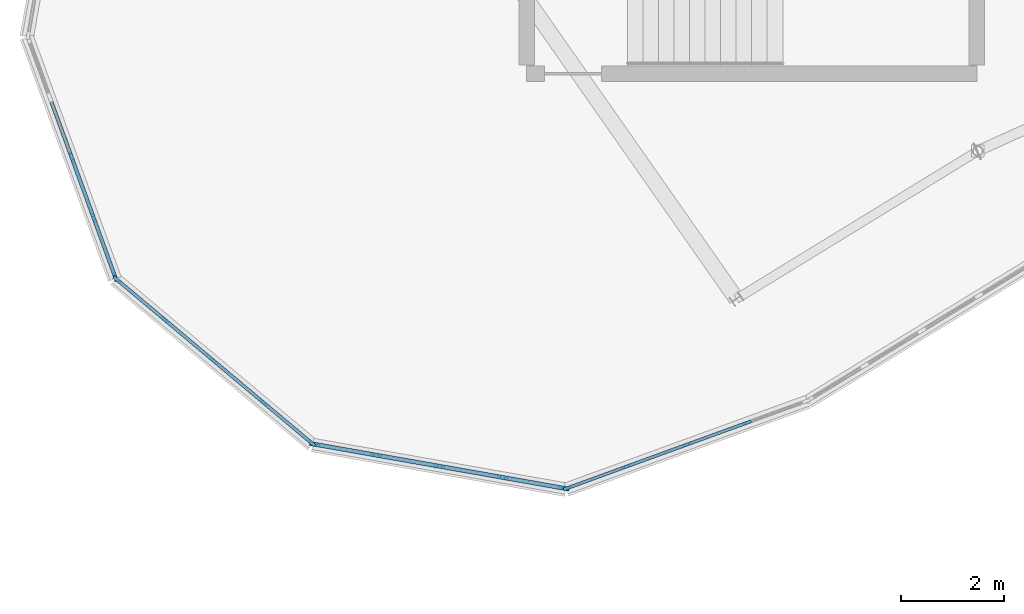
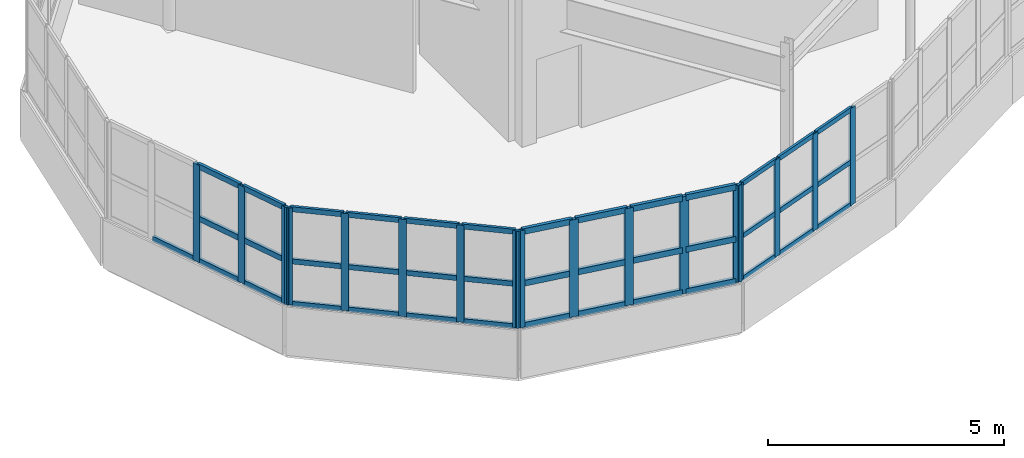
# One storey, part 24 of 65: 57 members, 4 elements without a shape of their own.
"""IFC4 building model written with IfcOpenShell, lengths in metres."""

import ifcopenshell
import ifcopenshell.guid

model = None  # the IFC model being written
_history = None  # IfcOwnerHistory: only IFC2X3 demands one
_inside = {}  # id of a spatial element -> (the spatial element, [elements in it])
_under = {}  # id of a project, library or spatial element -> (it, [spatial elements below it])
_declared = {}  # id of a project -> (the project, [libraries it declares])
_typed = {}  # id of a type object -> (the type object, [elements of that type])
_made_of = {}  # id of a material, layer set ... -> (it, [elements and type objects made of it])


def new_model(schema):
    """Start an empty IFC model of exactly this schema.

    Asked for "IFC4X3", IfcOpenShell would pick the latest addendum, in which some entities
    have other attributes; the version numbers below select the first issue.
    IFC2X3 requires an IfcOwnerHistory on every rooted entity: one is made here for all.
    """
    global model, _history
    if schema == "IFC4X3":
        model = ifcopenshell.file(schema_version=(4, 3, 0, 0))
    else:
        model = ifcopenshell.file(schema=schema)
    _inside.clear()
    _under.clear()
    _declared.clear()
    _typed.clear()
    _made_of.clear()
    _history = None
    if model.schema == "IFC2X3":
        org = make("IfcOrganization", Name="unknown")
        user = make(
            "IfcPersonAndOrganization",
            ThePerson=make("IfcPerson", FamilyName="unknown"),
            TheOrganization=org,
        )
        app = make(
            "IfcApplication",
            ApplicationDeveloper=org,
            Version="unknown",
            ApplicationFullName="unknown",
            ApplicationIdentifier="unknown",
        )
        _history = make(
            "IfcOwnerHistory",
            OwningUser=user,
            OwningApplication=app,
            ChangeAction="ADDED",
            CreationDate=0,
        )
    return model


def make(cls, **values):
    """One entity of the class cls with the attributes given. An attribute that is None is left unset."""
    return model.create_entity(
        cls, **{name: value for name, value in values.items() if value is not None}
    )


def rooted(cls, **values):
    """An entity with a GlobalId (a new one), such as an element, a storey or a relation."""
    return make(cls, GlobalId=ifcopenshell.guid.new(), OwnerHistory=_history, **values)


def si_unit(unit_type, name, prefix=None):
    """IfcSIUnit, for example si_unit("LENGTHUNIT", "METRE", prefix="MILLI")."""
    return make("IfcSIUnit", UnitType=unit_type, Prefix=prefix, Name=name)


def assignment(units):
    """IfcUnitAssignment: the units of a project."""
    return None if units is None else make("IfcUnitAssignment", Units=units)


def point(xyz):
    """IfcCartesianPoint."""
    return None if xyz is None else make("IfcCartesianPoint", Coordinates=xyz)


def direction(xyz):
    """IfcDirection."""
    return None if xyz is None else make("IfcDirection", DirectionRatios=xyz)


def frame(location, z_axis=None, x_axis=None):
    """IfcAxis2Placement3D, a coordinate frame: its origin and axes. An axis left out is left unset."""
    return make(
        "IfcAxis2Placement3D",
        Location=point(location),
        Axis=direction(z_axis),
        RefDirection=direction(x_axis),
    )


def frame_2d(location, x_axis=None):
    """IfcAxis2Placement2D, a coordinate frame in the plane: its origin and x axis."""
    return make(
        "IfcAxis2Placement2D", Location=point(location), RefDirection=direction(x_axis)
    )


def origin():
    """The frame at (0, 0, 0) with its axes left unset."""
    return frame((0.0, 0.0, 0.0))


def origin_2d():
    """The frame at (0, 0) in the plane with its x axis left unset."""
    return frame_2d((0.0, 0.0))


def place(relative_to, where):
    """IfcLocalPlacement: puts the frame where relative to a parent placement (None: the world)."""
    return make(
        "IfcLocalPlacement", PlacementRelTo=relative_to, RelativePlacement=where
    )


def context(
    kind, dimensions, precision=None, world=None, true_north=None, identifier=None
):
    """IfcGeometricRepresentationContext, for example the 3D "Model" context."""
    return make(
        "IfcGeometricRepresentationContext",
        ContextIdentifier=identifier,
        ContextType=kind,
        CoordinateSpaceDimension=dimensions,
        Precision=precision,
        WorldCoordinateSystem=world,
        TrueNorth=true_north,
    )


def subcontext(parent, identifier, kind, view, scale=None):
    """IfcGeometricRepresentationSubContext, for example "Body" below "Model"."""
    return make(
        "IfcGeometricRepresentationSubContext",
        ContextIdentifier=identifier,
        ContextType=kind,
        ParentContext=parent,
        TargetScale=scale,
        TargetView=view,
    )


def project(units=None, contexts=None):
    """IfcProject with its units and contexts."""
    return rooted(
        "IfcProject",
        Name="project",
        RepresentationContexts=contexts,
        UnitsInContext=assignment(units),
    )


def spatial(cls, under=None, at=None, **own):
    """A site, building, storey or space (cls), placed at a placement, below another one or the project."""
    s = rooted(cls, ObjectPlacement=at, **own)
    if under is not None:
        _under.setdefault(under.id(), (under, []))[1].append(s)
    return s


def profile(cls, at=None, kind="AREA", **sizes):
    """A parametric profile (cls). Its sizes go by their IFC names, for example OverallWidth=200.0."""
    return make(cls, ProfileType=kind, Position=at, **sizes)


def rectangle(**sizes):
    """IfcRectangleProfileDef."""
    return profile("IfcRectangleProfileDef", **sizes)


def extrude(swept, where, along, depth):
    """IfcExtrudedAreaSolid: the profile swept, set in the frame where, extruded along a direction by depth."""
    return make(
        "IfcExtrudedAreaSolid",
        SweptArea=swept,
        Position=where,
        ExtrudedDirection=direction(along),
        Depth=depth,
    )


def shape(context_of_items, identifier, shape_type, items):
    """IfcShapeRepresentation: the items that make up one representation, for example the "Body"."""
    return make(
        "IfcShapeRepresentation",
        ContextOfItems=context_of_items,
        RepresentationIdentifier=identifier,
        RepresentationType=shape_type,
        Items=items,
    )


def material(Name=None, Category=None):
    """IfcMaterial."""
    return make("IfcMaterial", Name=Name, Category=Category)


def layer(
    of_material, thickness, ventilated=None, Name=None, Category=None, Priority=None
):
    """IfcMaterialLayer: one layer of a wall or slab, of a material (None: an air gap)."""
    return make(
        "IfcMaterialLayer",
        Material=of_material,
        LayerThickness=thickness,
        IsVentilated=ventilated,
        Name=Name,
        Category=Category,
        Priority=Priority,
    )


def layer_set(layers, Name=None):
    """IfcMaterialLayerSet."""
    return make("IfcMaterialLayerSet", MaterialLayers=layers, LayerSetName=Name)


def material_profile(
    of_material, cross_section, Name=None, Category=None, Priority=None
):
    """IfcMaterialProfile: a cross section and its material."""
    return make(
        "IfcMaterialProfile",
        Name=Name,
        Material=of_material,
        Profile=cross_section,
        Priority=Priority,
        Category=Category,
    )


def profile_set(profiles, Name=None, composite=None):
    """IfcMaterialProfileSet."""
    return make(
        "IfcMaterialProfileSet",
        Name=Name,
        MaterialProfiles=profiles,
        CompositeProfile=composite,
    )


def made_of(thing, what):
    """Note that an element or type object is made of a material, layer set ...; save() writes the relation."""
    if what is not None:
        _made_of.setdefault(what.id(), (what, []))[1].append(thing)
    return thing


def type_object(cls, material=None, **own):
    """A type object (cls), such as IfcWallType, which elements share."""
    return made_of(rooted(cls, **own), material)


def element(
    cls,
    number,
    at=None,
    inside=None,
    cuts=None,
    type_object=None,
    material=None,
    context=None,
    identifier="Body",
    shape_type=None,
    held_by="IfcProductDefinitionShape",
    body=None,
    shapes=None,
    **own,
):
    """One element of the class cls, such as IfcWall. Its Tag is "e" and its number.

    at: its placement. inside: the storey or other place that contains it. cuts: it is an
    opening in that element (IfcRelVoidsElement). A single representation is given by context,
    identifier, shape_type and body (its items); several are given by shapes. held_by: the class
    of the entity that holds the representations. save() writes the other relations.
    """
    e = rooted(cls, Tag="e%d" % number, ObjectPlacement=at, **own)
    if body is not None:
        shapes = [shape(context, identifier, shape_type, body)]
    if shapes is not None:
        e.Representation = make(held_by, Representations=shapes)
    if inside is not None:
        _inside.setdefault(inside.id(), (inside, []))[1].append(e)
    if cuts is not None:
        rooted(
            "IfcRelVoidsElement", RelatingBuildingElement=cuts, RelatedOpeningElement=e
        )
    if type_object is not None:
        _typed.setdefault(type_object.id(), (type_object, []))[1].append(e)
    return made_of(e, material)


def aggregate(whole, parts):
    """IfcRelAggregates: a whole, such as a stair, and the parts it consists of."""
    return rooted("IfcRelAggregates", RelatingObject=whole, RelatedObjects=parts)


def save(model, path):
    """Write the relations noted so far, then the file.

    IfcRelAggregates (storeys below a building ...), IfcRelContainedInSpatialStructure (elements
    in a storey), IfcRelDefinesByType, IfcRelAssociatesMaterial and IfcRelDeclares: one each for
    every whole, place, type object, material and project.
    """
    for whole, parts in _under.values():
        aggregate(whole, parts)
    for where, things in _inside.values():
        rooted(
            "IfcRelContainedInSpatialStructure",
            RelatedElements=things,
            RelatingStructure=where,
        )
    for kind, things in _typed.values():
        rooted("IfcRelDefinesByType", RelatedObjects=things, RelatingType=kind)
    for what, things in _made_of.values():
        rooted("IfcRelAssociatesMaterial", RelatedObjects=things, RelatingMaterial=what)
    for by, libraries in _declared.values():
        rooted("IfcRelDeclares", RelatingContext=by, RelatedDefinitions=libraries)
    model.write(path)


model = new_model("IFC4")

# Units and contexts
model_context = context("Model", 3, precision=1e-05, world=origin(), true_north=direction((0.0, 1.0)))
body_context = subcontext(model_context, "Body", "Model", "MODEL_VIEW")
ifc_project = project(units=[si_unit("LENGTHUNIT", "METRE"), si_unit("AREAUNIT", "SQUARE_METRE"), si_unit("VOLUMEUNIT", "CUBIC_METRE"), si_unit("PLANEANGLEUNIT", "RADIAN"), si_unit("MASSUNIT", "GRAM", prefix="KILO")], contexts=[model_context])

# Site, building, storey
site_placement = place(None, origin())
site = spatial("IfcSite", under=ifc_project, at=site_placement, CompositionType="ELEMENT")
building_placement = place(site_placement, origin())
building = spatial("IfcBuilding", under=site, at=building_placement, Name="Tarnwether General Hospital", CompositionType="ELEMENT")
storey_placement = place(building_placement, frame((0.0, 0.0, 22.199951171875)))
storey = spatial("IfcBuildingStorey", under=building, at=storey_placement, Name="L05", CompositionType="ELEMENT", Elevation=22.199951171875)

# Curtain wall, members
ifc_material_1 = material(Name="Anodised aluminium", Category="aluminium")
ifc_layer = layer(ifc_material_1, 0.159912109375)
ifc_layer_set = layer_set([ifc_layer], Name="Anodised aluminium")
curtain_wall_type = type_object("IfcCurtainWallType", Name="CW-03", PredefinedType="NOTDEFINED", material=ifc_layer_set)
curtain_wall_1_placement = place(storey_placement, origin())
curtain_wall_1 = element("IfcCurtainWall", 1, at=curtain_wall_1_placement, inside=storey, type_object=curtain_wall_type, Name="Curtain Wall CWG-L05-677_977-0069", PredefinedType="NOTDEFINED")
ifc_material_2 = material(Name="Anodised aluminium", Category="aluminium")
ifc_material_profile_1 = material_profile(ifc_material_2, rectangle(XDim=0.06005859375, YDim=0.159912109375, at=origin_2d()), Name="ALU-MUL-60x160")
ifc_profile_set_1 = profile_set([ifc_material_profile_1], Name="Anodised aluminium")
member_type_1 = type_object("IfcMemberType", Name="CW-ML1", PredefinedType="MULLION", material=ifc_profile_set_1)
member_1_placement = place(storey_placement, frame((66.5126953125, 97.306884765625, 1.050048828125), z_axis=(0.0, 0.0, 1.0), x_axis=(0.342130850834, -0.939652319163, 0.0)))
member_1 = element("IfcMember", 2, at=member_1_placement, type_object=member_type_1, Name="CW-03 mullion 2", PredefinedType="MULLION", context=body_context, shape_type="SweptSolid", body=[
    extrude(rectangle(XDim=0.06005859375, YDim=0.159912109375, at=origin_2d()), origin(), (0.0, 0.0, 1.0), 2.510009765625),
])
member_2_placement = place(storey_placement, frame((65.345458984375, 96.882080078125, 1.050048828125), z_axis=(0.0, 0.0, 1.0), x_axis=(0.342130850834, -0.939652319163, 0.0)))
member_2 = element("IfcMember", 3, at=member_2_placement, type_object=member_type_1, Name="CW-03 mullion 3", PredefinedType="MULLION", context=body_context, shape_type="SweptSolid", body=[
    extrude(rectangle(XDim=0.06005859375, YDim=0.159912109375, at=origin_2d()), origin(), (0.0, 0.0, 1.0), 2.510009765625),
])
member_3_placement = place(storey_placement, frame((64.17822265625, 96.45703125, 1.050048828125), z_axis=(0.0, 0.0, 1.0), x_axis=(0.342130850834, -0.939652319163, 0.0)))
member_3 = element("IfcMember", 4, at=member_3_placement, type_object=member_type_1, Name="CW-03 mullion 4", PredefinedType="MULLION", context=body_context, shape_type="SweptSolid", body=[
    extrude(rectangle(XDim=0.06005859375, YDim=0.159912109375, at=origin_2d()), origin(), (0.0, 0.0, 1.0), 2.510009765625),
])
member_4_placement = place(storey_placement, frame((63.039306640625, 96.042236328125, 1.050048828125), z_axis=(0.0, 0.0, 1.0), x_axis=(0.342130850834, -0.939652319163, 0.0)))
member_4 = element("IfcMember", 5, at=member_4_placement, type_object=member_type_1, Name="CW-03 mullion 5", PredefinedType="MULLION", context=body_context, shape_type="SweptSolid", body=[
    extrude(rectangle(XDim=0.06005859375, YDim=0.159912109375, at=origin_2d()), origin(), (0.0, 0.0, 1.0), 2.510009765625),
])

curtain_wall_2_placement = place(storey_placement, origin())
curtain_wall_2 = element("IfcCurtainWall", 6, at=curtain_wall_2_placement, inside=storey, type_object=curtain_wall_type, Name="Curtain Wall CWG-L05-543_1001-0066", PredefinedType="NOTDEFINED")
ifc_material_3 = material(Name="Anodised aluminium", Category="aluminium")
ifc_material_profile_2 = material_profile(ifc_material_3, rectangle(XDim=0.070068359375, YDim=0.179931640625, at=origin_2d()), Name="ALU-MUL-70x180")
ifc_profile_set_2 = profile_set([ifc_material_profile_2], Name="Anodised aluminium")
member_type_2 = type_object("IfcMemberType", Name="CW-ML2", PredefinedType="MULLION", material=ifc_profile_set_2)
member_5_placement = place(storey_placement, frame((54.298095703125, 100.122802734375, 1.050048828125), z_axis=(0.0, 0.0, 1.0), x_axis=(-0.939717006582, -0.341953136469, 0.0)))
member_5 = element("IfcMember", 7, at=member_5_placement, type_object=member_type_2, Name="CW-03 mullion 1", PredefinedType="MULLION", context=body_context, shape_type="SweptSolid", body=[
    extrude(rectangle(XDim=0.070068359375, YDim=0.179931640625, at=origin_2d()), origin(), (0.0, 0.0, 1.0), 2.510009765625),
])
member_6_placement = place(storey_placement, frame((53.88525390625, 101.25732421875, 1.050048828125), z_axis=(0.0, 0.0, 1.0), x_axis=(-0.939717006582, -0.341953136469, 0.0)))
member_6 = element("IfcMember", 8, at=member_6_placement, type_object=member_type_2, Name="CW-03 mullion 2", PredefinedType="MULLION", context=body_context, shape_type="SweptSolid", body=[
    extrude(rectangle(XDim=0.070068359375, YDim=0.179931640625, at=origin_2d()), origin(), (0.0, 0.0, 1.0), 2.510009765625),
])
member_7_placement = place(storey_placement, frame((53.46044921875, 102.424560546875, 1.050048828125), z_axis=(0.0, 0.0, 1.0), x_axis=(-0.939717006582, -0.341953136469, 0.0)))
member_7 = element("IfcMember", 9, at=member_7_placement, type_object=member_type_2, Name="CW-03 mullion 3", PredefinedType="MULLION", context=body_context, shape_type="SweptSolid", body=[
    extrude(rectangle(XDim=0.070068359375, YDim=0.179931640625, at=origin_2d()), origin(), (0.0, 0.0, 1.0), 2.510009765625),
])

curtain_wall_3_placement = place(storey_placement, origin())
curtain_wall_3 = element("IfcCurtainWall", 10, at=curtain_wall_3_placement, inside=storey, type_object=curtain_wall_type, Name="Curtain Wall CWG-L05-581_969-0067", PredefinedType="NOTDEFINED")
ifc_material_4 = material(Name="Anodised aluminium", Category="aluminium")
ifc_material_profile_3 = material_profile(ifc_material_4, rectangle(XDim=0.06494140625, YDim=0.169921875, at=origin_2d()), Name="ALU-MUL-65x170")
ifc_profile_set_3 = profile_set([ifc_material_profile_3], Name="Anodised aluminium")
member_type_3 = type_object("IfcMemberType", Name="CW-ML3", PredefinedType="MULLION", material=ifc_profile_set_3)
member_8_placement = place(storey_placement, frame((58.092041015625, 96.915771484375, 1.050048828125), z_axis=(0.0, 0.0, 1.0), x_axis=(-0.64285227611, -0.765990176896, 0.0)))
member_8 = element("IfcMember", 11, at=member_8_placement, type_object=member_type_3, Name="CW-03 mullion 1", PredefinedType="MULLION", context=body_context, shape_type="SweptSolid", body=[
    extrude(rectangle(XDim=0.06494140625, YDim=0.169921875, at=origin_2d()), origin(), (0.0, 0.0, 1.0), 2.510009765625),
])
member_9_placement = place(storey_placement, frame((57.165283203125, 97.69384765625, 1.050048828125), z_axis=(0.0, 0.0, 1.0), x_axis=(-0.64285227611, -0.765990176896, 0.0)))
member_9 = element("IfcMember", 12, at=member_9_placement, type_object=member_type_3, Name="CW-03 mullion 2", PredefinedType="MULLION", context=body_context, shape_type="SweptSolid", body=[
    extrude(rectangle(XDim=0.06494140625, YDim=0.169921875, at=origin_2d()), origin(), (0.0, 0.0, 1.0), 2.510009765625),
])
member_10_placement = place(storey_placement, frame((56.21337890625, 98.492431640625, 1.050048828125), z_axis=(0.0, 0.0, 1.0), x_axis=(-0.64285227611, -0.765990176896, 0.0)))
member_10 = element("IfcMember", 13, at=member_10_placement, type_object=member_type_3, Name="CW-03 mullion 3", PredefinedType="MULLION", context=body_context, shape_type="SweptSolid", body=[
    extrude(rectangle(XDim=0.06494140625, YDim=0.169921875, at=origin_2d()), origin(), (0.0, 0.0, 1.0), 2.510009765625),
])
member_11_placement = place(storey_placement, frame((55.26171875, 99.291259765625, 1.050048828125), z_axis=(0.0, 0.0, 1.0), x_axis=(-0.64285227611, -0.765990176896, 0.0)))
member_11 = element("IfcMember", 14, at=member_11_placement, type_object=member_type_3, Name="CW-03 mullion 4", PredefinedType="MULLION", context=body_context, shape_type="SweptSolid", body=[
    extrude(rectangle(XDim=0.06494140625, YDim=0.169921875, at=origin_2d()), origin(), (0.0, 0.0, 1.0), 2.510009765625),
])
member_12_placement = place(storey_placement, frame((54.3349609375, 100.069091796875, 1.050048828125), z_axis=(0.0, 0.0, 1.0), x_axis=(-0.64285227611, -0.765990176896, 0.0)))
member_12 = element("IfcMember", 15, at=member_12_placement, type_object=member_type_3, Name="CW-03 mullion 5", PredefinedType="MULLION", context=body_context, shape_type="SweptSolid", body=[
    extrude(rectangle(XDim=0.06494140625, YDim=0.169921875, at=origin_2d()), origin(), (0.0, 0.0, 1.0), 2.510009765625),
])

curtain_wall_4_placement = place(storey_placement, origin())
curtain_wall_4 = element("IfcCurtainWall", 16, at=curtain_wall_4_placement, inside=storey, type_object=curtain_wall_type, Name="Curtain Wall CWG-L05-630_960-0068", PredefinedType="NOTDEFINED")
ifc_material_5 = material(Name="Anodised aluminium", Category="aluminium")
ifc_material_profile_4 = material_profile(ifc_material_5, rectangle(XDim=0.080078125, YDim=0.199951171875, at=origin_2d()), Name="ALU-MUL-80x200")
ifc_profile_set_4 = profile_set([ifc_material_profile_4], Name="Anodised aluminium")
member_type_4 = type_object("IfcMemberType", Name="CW-ML4", PredefinedType="MULLION", material=ifc_profile_set_4)
member_13_placement = place(storey_placement, frame((62.9716796875, 96.0390625, 1.050048828125), z_axis=(0.0, 0.0, 1.0), x_axis=(-0.173659059054, -0.984805834268, 0.0)))
member_13 = element("IfcMember", 17, at=member_13_placement, type_object=member_type_4, Name="CW-03 mullion 1", PredefinedType="MULLION", context=body_context, shape_type="SweptSolid", body=[
    extrude(rectangle(XDim=0.080078125, YDim=0.199951171875, at=origin_2d()), origin(), (0.0, 0.0, 1.0), 2.510009765625),
])
member_14_placement = place(storey_placement, frame((61.78759765625, 96.247802734375, 1.050048828125), z_axis=(0.0, 0.0, 1.0), x_axis=(-0.173659059054, -0.984805834268, 0.0)))
member_14 = element("IfcMember", 18, at=member_14_placement, type_object=member_type_4, Name="CW-03 mullion 2", PredefinedType="MULLION", context=body_context, shape_type="SweptSolid", body=[
    extrude(rectangle(XDim=0.080078125, YDim=0.199951171875, at=origin_2d()), origin(), (0.0, 0.0, 1.0), 2.510009765625),
])
member_15_placement = place(storey_placement, frame((60.56396484375, 96.46337890625, 1.050048828125), z_axis=(0.0, 0.0, 1.0), x_axis=(-0.173659059054, -0.984805834268, 0.0)))
member_15 = element("IfcMember", 19, at=member_15_placement, type_object=member_type_4, Name="CW-03 mullion 3", PredefinedType="MULLION", context=body_context, shape_type="SweptSolid", body=[
    extrude(rectangle(XDim=0.080078125, YDim=0.199951171875, at=origin_2d()), origin(), (0.0, 0.0, 1.0), 2.510009765625),
])
member_16_placement = place(storey_placement, frame((59.340576171875, 96.67919921875, 1.050048828125), z_axis=(0.0, 0.0, 1.0), x_axis=(-0.173659059054, -0.984805834268, 0.0)))
member_16 = element("IfcMember", 20, at=member_16_placement, type_object=member_type_4, Name="CW-03 mullion 4", PredefinedType="MULLION", context=body_context, shape_type="SweptSolid", body=[
    extrude(rectangle(XDim=0.080078125, YDim=0.199951171875, at=origin_2d()), origin(), (0.0, 0.0, 1.0), 2.510009765625),
])
member_17_placement = place(storey_placement, frame((58.156494140625, 96.887939453125, 1.050048828125), z_axis=(0.0, 0.0, 1.0), x_axis=(-0.173659059054, -0.984805834268, 0.0)))
member_17 = element("IfcMember", 21, at=member_17_placement, type_object=member_type_4, Name="CW-03 mullion 5", PredefinedType="MULLION", context=body_context, shape_type="SweptSolid", body=[
    extrude(rectangle(XDim=0.080078125, YDim=0.199951171875, at=origin_2d()), origin(), (0.0, 0.0, 1.0), 2.510009765625),
])

# Member
ifc_material_6 = material(Name="Anodised aluminium", Category="aluminium")
ifc_material_profile_5 = material_profile(ifc_material_6, rectangle(XDim=0.06005859375, YDim=0.1201171875, at=origin_2d()), Name="ALU-TRN-60x120")
ifc_profile_set_5 = profile_set([ifc_material_profile_5], Name="Anodised aluminium")
member_type_5 = type_object("IfcMemberType", Name="CW-TR1", PredefinedType="USERDEFINED", material=ifc_profile_set_5)
member_18_placement = place(storey_placement, frame((66.484619140625, 97.296630859375, 1.080078125), z_axis=(-0.939696906367, -0.342008368559, 0.0), x_axis=(0.342008368559, -0.939696906367, 0.0)))
member_18 = element("IfcMember", 22, at=member_18_placement, type_object=member_type_5, Name="CW-03 transom 2.1", ObjectType="TRANSOM", PredefinedType="USERDEFINED", context=body_context, shape_type="SweptSolid", body=[
    extrude(rectangle(XDim=0.06005859375, YDim=0.1201171875, at=origin_2d()), origin(), (0.0, 0.0, 1.0), 1.18212890625),
])

member_19_placement = place(storey_placement, frame((66.484619140625, 97.296630859375, 2.179443359375), z_axis=(-0.939696906367, -0.342008368559, 0.0), x_axis=(0.342008368559, -0.939696906367, 0.0)))
member_19 = element("IfcMember", 23, at=member_19_placement, type_object=member_type_5, Name="CW-03 transom 2.2", ObjectType="TRANSOM", PredefinedType="USERDEFINED", context=body_context, shape_type="SweptSolid", body=[
    extrude(rectangle(XDim=0.06005859375, YDim=0.1201171875, at=origin_2d()), origin(), (0.0, 0.0, 1.0), 1.18212890625),
])

member_20_placement = place(storey_placement, frame((66.484619140625, 97.296630859375, 3.530029296875), z_axis=(-0.939696906367, -0.342008368559, 0.0), x_axis=(0.342008368559, -0.939696906367, 0.0)))
member_20 = element("IfcMember", 24, at=member_20_placement, type_object=member_type_5, Name="CW-03 transom 2.3", ObjectType="TRANSOM", PredefinedType="USERDEFINED", context=body_context, shape_type="SweptSolid", body=[
    extrude(rectangle(XDim=0.06005859375, YDim=0.1201171875, at=origin_2d()), origin(), (0.0, 0.0, 1.0), 1.18212890625),
])

member_21_placement = place(storey_placement, frame((65.3173828125, 96.871826171875, 1.080078125), z_axis=(-0.939630518913, -0.342190718646, 0.0), x_axis=(0.342190718646, -0.939630518913, 0.0)))
member_21 = element("IfcMember", 25, at=member_21_placement, type_object=member_type_5, Name="CW-03 transom 3.1", ObjectType="TRANSOM", PredefinedType="USERDEFINED", context=body_context, shape_type="SweptSolid", body=[
    extrude(rectangle(XDim=0.06005859375, YDim=0.1201171875, at=origin_2d()), origin(), (0.0, 0.0, 1.0), 1.18212890625),
])

member_22_placement = place(storey_placement, frame((65.3173828125, 96.871826171875, 2.179443359375), z_axis=(-0.939630518913, -0.342190718646, 0.0), x_axis=(0.342190718646, -0.939630518913, 0.0)))
member_22 = element("IfcMember", 26, at=member_22_placement, type_object=member_type_5, Name="CW-03 transom 3.2", ObjectType="TRANSOM", PredefinedType="USERDEFINED", context=body_context, shape_type="SweptSolid", body=[
    extrude(rectangle(XDim=0.06005859375, YDim=0.1201171875, at=origin_2d()), origin(), (0.0, 0.0, 1.0), 1.18212890625),
])

member_23_placement = place(storey_placement, frame((65.3173828125, 96.871826171875, 3.530029296875), z_axis=(-0.939630518913, -0.342190718646, 0.0), x_axis=(0.342190718646, -0.939630518913, 0.0)))
member_23 = element("IfcMember", 27, at=member_23_placement, type_object=member_type_5, Name="CW-03 transom 3.3", ObjectType="TRANSOM", PredefinedType="USERDEFINED", context=body_context, shape_type="SweptSolid", body=[
    extrude(rectangle(XDim=0.06005859375, YDim=0.1201171875, at=origin_2d()), origin(), (0.0, 0.0, 1.0), 1.18212890625),
])

member_24_placement = place(storey_placement, frame((64.150146484375, 96.44677734375, 1.080078125), z_axis=(-0.939638678412, -0.342168312432, 0.0), x_axis=(0.342168312432, -0.939638678412, 0.0)))
member_24 = element("IfcMember", 28, at=member_24_placement, type_object=member_type_5, Name="CW-03 transom 4.1", ObjectType="TRANSOM", PredefinedType="USERDEFINED", context=body_context, shape_type="SweptSolid", body=[
    extrude(rectangle(XDim=0.06005859375, YDim=0.1201171875, at=origin_2d()), origin(), (0.0, 0.0, 1.0), 1.15234375),
])

member_25_placement = place(storey_placement, frame((64.150146484375, 96.44677734375, 2.179443359375), z_axis=(-0.939638678412, -0.342168312432, 0.0), x_axis=(0.342168312432, -0.939638678412, 0.0)))
member_25 = element("IfcMember", 29, at=member_25_placement, type_object=member_type_5, Name="CW-03 transom 4.2", ObjectType="TRANSOM", PredefinedType="USERDEFINED", context=body_context, shape_type="SweptSolid", body=[
    extrude(rectangle(XDim=0.06005859375, YDim=0.1201171875, at=origin_2d()), origin(), (0.0, 0.0, 1.0), 1.15234375),
])

member_26_placement = place(storey_placement, frame((64.150146484375, 96.44677734375, 3.530029296875), z_axis=(-0.939638678412, -0.342168312432, 0.0), x_axis=(0.342168312432, -0.939638678412, 0.0)))
member_26 = element("IfcMember", 30, at=member_26_placement, type_object=member_type_5, Name="CW-03 transom 4.3", ObjectType="TRANSOM", PredefinedType="USERDEFINED", context=body_context, shape_type="SweptSolid", body=[
    extrude(rectangle(XDim=0.06005859375, YDim=0.1201171875, at=origin_2d()), origin(), (0.0, 0.0, 1.0), 1.15234375),
])

aggregate(curtain_wall_1, [member_1, member_2, member_3, member_4, member_18, member_19, member_20, member_21, member_22, member_23, member_24, member_25, member_26])

ifc_material_7 = material(Name="Anodised aluminium", Category="aluminium")
ifc_material_profile_6 = material_profile(ifc_material_7, rectangle(XDim=0.070068359375, YDim=0.139892578125, at=origin_2d()), Name="ALU-TRN-70x140")
ifc_profile_set_6 = profile_set([ifc_material_profile_6], Name="Anodised aluminium")
member_type_6 = type_object("IfcMemberType", Name="CW-TR2", PredefinedType="USERDEFINED", material=ifc_profile_set_6)
member_27_placement = place(storey_placement, frame((54.2861328125, 100.15576171875, 1.0849609375), z_axis=(-0.342001618739, 0.939699362977, 0.0), x_axis=(-0.939699362977, -0.342001618739, 0.0)))
member_27 = element("IfcMember", 31, at=member_27_placement, type_object=member_type_6, Name="CW-03 transom 1.1", ObjectType="TRANSOM", PredefinedType="USERDEFINED", context=body_context, shape_type="SweptSolid", body=[
    extrude(rectangle(XDim=0.070068359375, YDim=0.139892578125, at=origin_2d()), origin(), (0.0, 0.0, 1.0), 1.13720703125),
])

member_28_placement = place(storey_placement, frame((54.2861328125, 100.15576171875, 2.179443359375), z_axis=(-0.342001618739, 0.939699362977, 0.0), x_axis=(-0.939699362977, -0.342001618739, 0.0)))
member_28 = element("IfcMember", 32, at=member_28_placement, type_object=member_type_6, Name="CW-03 transom 1.2", ObjectType="TRANSOM", PredefinedType="USERDEFINED", context=body_context, shape_type="SweptSolid", body=[
    extrude(rectangle(XDim=0.070068359375, YDim=0.139892578125, at=origin_2d()), origin(), (0.0, 0.0, 1.0), 1.13720703125),
])

member_29_placement = place(storey_placement, frame((54.2861328125, 100.15576171875, 3.525146484375), z_axis=(-0.342001618739, 0.939699362977, 0.0), x_axis=(-0.939699362977, -0.342001618739, 0.0)))
member_29 = element("IfcMember", 33, at=member_29_placement, type_object=member_type_6, Name="CW-03 transom 1.3", ObjectType="TRANSOM", PredefinedType="USERDEFINED", context=body_context, shape_type="SweptSolid", body=[
    extrude(rectangle(XDim=0.070068359375, YDim=0.139892578125, at=origin_2d()), origin(), (0.0, 0.0, 1.0), 1.13720703125),
])

member_30_placement = place(storey_placement, frame((53.873291015625, 101.2900390625, 1.0849609375), z_axis=(-0.341977164717, 0.939708262607, 0.0), x_axis=(-0.939708262607, -0.341977164717, 0.0)))
member_30 = element("IfcMember", 34, at=member_30_placement, type_object=member_type_6, Name="CW-03 transom 2.1", ObjectType="TRANSOM", PredefinedType="USERDEFINED", context=body_context, shape_type="SweptSolid", body=[
    extrude(rectangle(XDim=0.070068359375, YDim=0.139892578125, at=origin_2d()), origin(), (0.0, 0.0, 1.0), 1.172119140625),
])

member_31_placement = place(storey_placement, frame((53.873291015625, 101.2900390625, 2.179443359375), z_axis=(-0.341977164717, 0.939708262607, 0.0), x_axis=(-0.939708262607, -0.341977164717, 0.0)))
member_31 = element("IfcMember", 35, at=member_31_placement, type_object=member_type_6, Name="CW-03 transom 2.2", ObjectType="TRANSOM", PredefinedType="USERDEFINED", context=body_context, shape_type="SweptSolid", body=[
    extrude(rectangle(XDim=0.070068359375, YDim=0.139892578125, at=origin_2d()), origin(), (0.0, 0.0, 1.0), 1.172119140625),
])

member_32_placement = place(storey_placement, frame((53.873291015625, 101.2900390625, 3.525146484375), z_axis=(-0.341977164717, 0.939708262607, 0.0), x_axis=(-0.939708262607, -0.341977164717, 0.0)))
member_32 = element("IfcMember", 36, at=member_32_placement, type_object=member_type_6, Name="CW-03 transom 2.3", ObjectType="TRANSOM", PredefinedType="USERDEFINED", context=body_context, shape_type="SweptSolid", body=[
    extrude(rectangle(XDim=0.070068359375, YDim=0.139892578125, at=origin_2d()), origin(), (0.0, 0.0, 1.0), 1.172119140625),
])

member_33_placement = place(storey_placement, frame((53.448486328125, 102.457275390625, 1.0849609375), z_axis=(-0.341977164717, 0.939708262607, 0.0), x_axis=(-0.939708262607, -0.341977164717, 0.0)))
member_33 = element("IfcMember", 37, at=member_33_placement, type_object=member_type_6, Name="CW-03 transom 3.1", ObjectType="TRANSOM", PredefinedType="USERDEFINED", context=body_context, shape_type="SweptSolid", body=[
    extrude(rectangle(XDim=0.070068359375, YDim=0.139892578125, at=origin_2d()), origin(), (0.0, 0.0, 1.0), 1.172119140625),
])

aggregate(curtain_wall_2, [member_5, member_6, member_7, member_27, member_28, member_29, member_30, member_31, member_32, member_33])

ifc_material_8 = material(Name="Anodised aluminium", Category="aluminium")
ifc_material_profile_7 = material_profile(ifc_material_8, rectangle(XDim=0.06494140625, YDim=0.1298828125, at=origin_2d()), Name="ALU-TRN-65x130")
ifc_profile_set_7 = profile_set([ifc_material_profile_7], Name="Anodised aluminium")
member_type_7 = type_object("IfcMemberType", Name="CW-TR3", PredefinedType="USERDEFINED", material=ifc_profile_set_7)
member_34_placement = place(storey_placement, frame((58.067138671875, 96.936767578125, 1.08251953125), z_axis=(-0.765944252325, 0.64290699353, 0.0), x_axis=(-0.64290699353, -0.765944252325, 0.0)))
member_34 = element("IfcMember", 38, at=member_34_placement, type_object=member_type_7, Name="CW-03 transom 1.1", ObjectType="TRANSOM", PredefinedType="USERDEFINED", context=body_context, shape_type="SweptSolid", body=[
    extrude(rectangle(XDim=0.06494140625, YDim=0.1298828125, at=origin_2d()), origin(), (0.0, 0.0, 1.0), 1.14501953125),
])

member_35_placement = place(storey_placement, frame((58.067138671875, 96.936767578125, 2.179443359375), z_axis=(-0.765944252325, 0.64290699353, 0.0), x_axis=(-0.64290699353, -0.765944252325, 0.0)))
member_35 = element("IfcMember", 39, at=member_35_placement, type_object=member_type_7, Name="CW-03 transom 1.2", ObjectType="TRANSOM", PredefinedType="USERDEFINED", context=body_context, shape_type="SweptSolid", body=[
    extrude(rectangle(XDim=0.06494140625, YDim=0.1298828125, at=origin_2d()), origin(), (0.0, 0.0, 1.0), 1.14501953125),
])

member_36_placement = place(storey_placement, frame((58.067138671875, 96.936767578125, 3.527587890625), z_axis=(-0.765944252325, 0.64290699353, 0.0), x_axis=(-0.64290699353, -0.765944252325, 0.0)))
member_36 = element("IfcMember", 40, at=member_36_placement, type_object=member_type_7, Name="CW-03 transom 1.3", ObjectType="TRANSOM", PredefinedType="USERDEFINED", context=body_context, shape_type="SweptSolid", body=[
    extrude(rectangle(XDim=0.06494140625, YDim=0.1298828125, at=origin_2d()), origin(), (0.0, 0.0, 1.0), 1.14501953125),
])

member_37_placement = place(storey_placement, frame((57.140380859375, 97.714599609375, 1.08251953125), z_axis=(-0.765990659542, 0.642851701012, 0.0), x_axis=(-0.642851701012, -0.765990659542, 0.0)))
member_37 = element("IfcMember", 41, at=member_37_placement, type_object=member_type_7, Name="CW-03 transom 2.1", ObjectType="TRANSOM", PredefinedType="USERDEFINED", context=body_context, shape_type="SweptSolid", body=[
    extrude(rectangle(XDim=0.06494140625, YDim=0.1298828125, at=origin_2d()), origin(), (0.0, 0.0, 1.0), 1.177734375),
])

member_38_placement = place(storey_placement, frame((57.140380859375, 97.714599609375, 2.179443359375), z_axis=(-0.765990659542, 0.642851701012, 0.0), x_axis=(-0.642851701012, -0.765990659542, 0.0)))
member_38 = element("IfcMember", 42, at=member_38_placement, type_object=member_type_7, Name="CW-03 transom 2.2", ObjectType="TRANSOM", PredefinedType="USERDEFINED", context=body_context, shape_type="SweptSolid", body=[
    extrude(rectangle(XDim=0.06494140625, YDim=0.1298828125, at=origin_2d()), origin(), (0.0, 0.0, 1.0), 1.177734375),
])

member_39_placement = place(storey_placement, frame((57.140380859375, 97.714599609375, 3.527587890625), z_axis=(-0.765990659542, 0.642851701012, 0.0), x_axis=(-0.642851701012, -0.765990659542, 0.0)))
member_39 = element("IfcMember", 43, at=member_39_placement, type_object=member_type_7, Name="CW-03 transom 2.3", ObjectType="TRANSOM", PredefinedType="USERDEFINED", context=body_context, shape_type="SweptSolid", body=[
    extrude(rectangle(XDim=0.06494140625, YDim=0.1298828125, at=origin_2d()), origin(), (0.0, 0.0, 1.0), 1.177734375),
])

member_40_placement = place(storey_placement, frame((56.188720703125, 98.513427734375, 1.08251953125), z_axis=(-0.766092744107, 0.642730042418, 0.0), x_axis=(-0.642730042418, -0.766092744107, 0.0)))
member_40 = element("IfcMember", 44, at=member_40_placement, type_object=member_type_7, Name="CW-03 transom 3.1", ObjectType="TRANSOM", PredefinedType="USERDEFINED", context=body_context, shape_type="SweptSolid", body=[
    extrude(rectangle(XDim=0.06494140625, YDim=0.1298828125, at=origin_2d()), origin(), (0.0, 0.0, 1.0), 1.177490234375),
])

member_41_placement = place(storey_placement, frame((56.188720703125, 98.513427734375, 2.179443359375), z_axis=(-0.766092744107, 0.642730042418, 0.0), x_axis=(-0.642730042418, -0.766092744107, 0.0)))
member_41 = element("IfcMember", 45, at=member_41_placement, type_object=member_type_7, Name="CW-03 transom 3.2", ObjectType="TRANSOM", PredefinedType="USERDEFINED", context=body_context, shape_type="SweptSolid", body=[
    extrude(rectangle(XDim=0.06494140625, YDim=0.1298828125, at=origin_2d()), origin(), (0.0, 0.0, 1.0), 1.177490234375),
])

member_42_placement = place(storey_placement, frame((56.188720703125, 98.513427734375, 3.527587890625), z_axis=(-0.766092744107, 0.642730042418, 0.0), x_axis=(-0.642730042418, -0.766092744107, 0.0)))
member_42 = element("IfcMember", 46, at=member_42_placement, type_object=member_type_7, Name="CW-03 transom 3.3", ObjectType="TRANSOM", PredefinedType="USERDEFINED", context=body_context, shape_type="SweptSolid", body=[
    extrude(rectangle(XDim=0.06494140625, YDim=0.1298828125, at=origin_2d()), origin(), (0.0, 0.0, 1.0), 1.177490234375),
])

member_43_placement = place(storey_placement, frame((55.23681640625, 99.312255859375, 1.08251953125), z_axis=(-0.766049260575, 0.642781868422, 0.0), x_axis=(-0.642781868422, -0.766049260575, 0.0)))
member_43 = element("IfcMember", 47, at=member_43_placement, type_object=member_type_7, Name="CW-03 transom 4.1", ObjectType="TRANSOM", PredefinedType="USERDEFINED", context=body_context, shape_type="SweptSolid", body=[
    extrude(rectangle(XDim=0.06494140625, YDim=0.1298828125, at=origin_2d()), origin(), (0.0, 0.0, 1.0), 1.144775390625),
])

member_44_placement = place(storey_placement, frame((55.23681640625, 99.312255859375, 2.179443359375), z_axis=(-0.766049260575, 0.642781868422, 0.0), x_axis=(-0.642781868422, -0.766049260575, 0.0)))
member_44 = element("IfcMember", 48, at=member_44_placement, type_object=member_type_7, Name="CW-03 transom 4.2", ObjectType="TRANSOM", PredefinedType="USERDEFINED", context=body_context, shape_type="SweptSolid", body=[
    extrude(rectangle(XDim=0.06494140625, YDim=0.1298828125, at=origin_2d()), origin(), (0.0, 0.0, 1.0), 1.144775390625),
])

member_45_placement = place(storey_placement, frame((55.23681640625, 99.312255859375, 3.527587890625), z_axis=(-0.766049260575, 0.642781868422, 0.0), x_axis=(-0.642781868422, -0.766049260575, 0.0)))
member_45 = element("IfcMember", 49, at=member_45_placement, type_object=member_type_7, Name="CW-03 transom 4.3", ObjectType="TRANSOM", PredefinedType="USERDEFINED", context=body_context, shape_type="SweptSolid", body=[
    extrude(rectangle(XDim=0.06494140625, YDim=0.1298828125, at=origin_2d()), origin(), (0.0, 0.0, 1.0), 1.144775390625),
])

aggregate(curtain_wall_3, [member_8, member_9, member_10, member_11, member_12, member_34, member_35, member_36, member_37, member_38, member_39, member_40, member_41, member_42, member_43, member_44, member_45])

ifc_material_9 = material(Name="Anodised aluminium", Category="aluminium")
ifc_material_profile_8 = material_profile(ifc_material_9, rectangle(XDim=0.080078125, YDim=0.14990234375, at=origin_2d()), Name="ALU-TRN-80x150")
ifc_profile_set_8 = profile_set([ifc_material_profile_8], Name="Anodised aluminium")
member_type_8 = type_object("IfcMemberType", Name="CW-TR4", PredefinedType="USERDEFINED", material=ifc_profile_set_8)
member_46_placement = place(storey_placement, frame((62.93212890625, 96.0458984375, 1.090087890625), z_axis=(-0.984816391651, 0.173599178383, 0.0), x_axis=(-0.173599178383, -0.984816391651, 0.0)))
member_46 = element("IfcMember", 50, at=member_46_placement, type_object=member_type_8, Name="CW-03 transom 1.1", ObjectType="TRANSOM", PredefinedType="USERDEFINED", context=body_context, shape_type="SweptSolid", body=[
    extrude(rectangle(XDim=0.080078125, YDim=0.14990234375, at=origin_2d()), origin(), (0.0, 0.0, 1.0), 1.122314453125),
])

member_47_placement = place(storey_placement, frame((62.93212890625, 96.0458984375, 2.179443359375), z_axis=(-0.984816391651, 0.173599178383, 0.0), x_axis=(-0.173599178383, -0.984816391651, 0.0)))
member_47 = element("IfcMember", 51, at=member_47_placement, type_object=member_type_8, Name="CW-03 transom 1.2", ObjectType="TRANSOM", PredefinedType="USERDEFINED", context=body_context, shape_type="SweptSolid", body=[
    extrude(rectangle(XDim=0.080078125, YDim=0.14990234375, at=origin_2d()), origin(), (0.0, 0.0, 1.0), 1.122314453125),
])

member_48_placement = place(storey_placement, frame((62.93212890625, 96.0458984375, 3.52001953125), z_axis=(-0.984816391651, 0.173599178383, 0.0), x_axis=(-0.173599178383, -0.984816391651, 0.0)))
member_48 = element("IfcMember", 52, at=member_48_placement, type_object=member_type_8, Name="CW-03 transom 1.3", ObjectType="TRANSOM", PredefinedType="USERDEFINED", context=body_context, shape_type="SweptSolid", body=[
    extrude(rectangle(XDim=0.080078125, YDim=0.14990234375, at=origin_2d()), origin(), (0.0, 0.0, 1.0), 1.122314453125),
])

member_49_placement = place(storey_placement, frame((61.748046875, 96.254638671875, 1.090087890625), z_axis=(-0.984800468802, 0.173689483408, 0.0), x_axis=(-0.173689483408, -0.984800468802, 0.0)))
member_49 = element("IfcMember", 53, at=member_49_placement, type_object=member_type_8, Name="CW-03 transom 2.1", ObjectType="TRANSOM", PredefinedType="USERDEFINED", context=body_context, shape_type="SweptSolid", body=[
    extrude(rectangle(XDim=0.080078125, YDim=0.14990234375, at=origin_2d()), origin(), (0.0, 0.0, 1.0), 1.162353515625),
])

member_50_placement = place(storey_placement, frame((61.748046875, 96.254638671875, 2.179443359375), z_axis=(-0.984800468802, 0.173689483408, 0.0), x_axis=(-0.173689483408, -0.984800468802, 0.0)))
member_50 = element("IfcMember", 54, at=member_50_placement, type_object=member_type_8, Name="CW-03 transom 2.2", ObjectType="TRANSOM", PredefinedType="USERDEFINED", context=body_context, shape_type="SweptSolid", body=[
    extrude(rectangle(XDim=0.080078125, YDim=0.14990234375, at=origin_2d()), origin(), (0.0, 0.0, 1.0), 1.162353515625),
])

member_51_placement = place(storey_placement, frame((61.748046875, 96.254638671875, 3.52001953125), z_axis=(-0.984800468802, 0.173689483408, 0.0), x_axis=(-0.173689483408, -0.984800468802, 0.0)))
member_51 = element("IfcMember", 55, at=member_51_placement, type_object=member_type_8, Name="CW-03 transom 2.3", ObjectType="TRANSOM", PredefinedType="USERDEFINED", context=body_context, shape_type="SweptSolid", body=[
    extrude(rectangle(XDim=0.080078125, YDim=0.14990234375, at=origin_2d()), origin(), (0.0, 0.0, 1.0), 1.162353515625),
])

member_52_placement = place(storey_placement, frame((60.524658203125, 96.470458984375, 1.090087890625), z_axis=(-0.984800468802, 0.173689483408, 0.0), x_axis=(-0.173689483408, -0.984800468802, 0.0)))
member_52 = element("IfcMember", 56, at=member_52_placement, type_object=member_type_8, Name="CW-03 transom 3.1", ObjectType="TRANSOM", PredefinedType="USERDEFINED", context=body_context, shape_type="SweptSolid", body=[
    extrude(rectangle(XDim=0.080078125, YDim=0.14990234375, at=origin_2d()), origin(), (0.0, 0.0, 1.0), 1.162353515625),
])

member_53_placement = place(storey_placement, frame((60.524658203125, 96.470458984375, 2.179443359375), z_axis=(-0.984800468802, 0.173689483408, 0.0), x_axis=(-0.173689483408, -0.984800468802, 0.0)))
member_53 = element("IfcMember", 57, at=member_53_placement, type_object=member_type_8, Name="CW-03 transom 3.2", ObjectType="TRANSOM", PredefinedType="USERDEFINED", context=body_context, shape_type="SweptSolid", body=[
    extrude(rectangle(XDim=0.080078125, YDim=0.14990234375, at=origin_2d()), origin(), (0.0, 0.0, 1.0), 1.162353515625),
])

member_54_placement = place(storey_placement, frame((60.524658203125, 96.470458984375, 3.52001953125), z_axis=(-0.984800468802, 0.173689483408, 0.0), x_axis=(-0.173689483408, -0.984800468802, 0.0)))
member_54 = element("IfcMember", 58, at=member_54_placement, type_object=member_type_8, Name="CW-03 transom 3.3", ObjectType="TRANSOM", PredefinedType="USERDEFINED", context=body_context, shape_type="SweptSolid", body=[
    extrude(rectangle(XDim=0.080078125, YDim=0.14990234375, at=origin_2d()), origin(), (0.0, 0.0, 1.0), 1.162353515625),
])

member_55_placement = place(storey_placement, frame((59.301025390625, 96.686279296875, 1.090087890625), z_axis=(-0.984816391651, 0.173599178383, 0.0), x_axis=(-0.173599178383, -0.984816391651, 0.0)))
member_55 = element("IfcMember", 59, at=member_55_placement, type_object=member_type_8, Name="CW-03 transom 4.1", ObjectType="TRANSOM", PredefinedType="USERDEFINED", context=body_context, shape_type="SweptSolid", body=[
    extrude(rectangle(XDim=0.080078125, YDim=0.14990234375, at=origin_2d()), origin(), (0.0, 0.0, 1.0), 1.122314453125),
])

member_56_placement = place(storey_placement, frame((59.301025390625, 96.686279296875, 2.179443359375), z_axis=(-0.984816391651, 0.173599178383, 0.0), x_axis=(-0.173599178383, -0.984816391651, 0.0)))
member_56 = element("IfcMember", 60, at=member_56_placement, type_object=member_type_8, Name="CW-03 transom 4.2", ObjectType="TRANSOM", PredefinedType="USERDEFINED", context=body_context, shape_type="SweptSolid", body=[
    extrude(rectangle(XDim=0.080078125, YDim=0.14990234375, at=origin_2d()), origin(), (0.0, 0.0, 1.0), 1.122314453125),
])

member_57_placement = place(storey_placement, frame((59.301025390625, 96.686279296875, 3.52001953125), z_axis=(-0.984816391651, 0.173599178383, 0.0), x_axis=(-0.173599178383, -0.984816391651, 0.0)))
member_57 = element("IfcMember", 61, at=member_57_placement, type_object=member_type_8, Name="CW-03 transom 4.3", ObjectType="TRANSOM", PredefinedType="USERDEFINED", context=body_context, shape_type="SweptSolid", body=[
    extrude(rectangle(XDim=0.080078125, YDim=0.14990234375, at=origin_2d()), origin(), (0.0, 0.0, 1.0), 1.122314453125),
])

aggregate(curtain_wall_4, [member_13, member_14, member_15, member_16, member_17, member_46, member_47, member_48, member_49, member_50, member_51, member_52, member_53, member_54, member_55, member_56, member_57])

save(model, "model.ifc")
